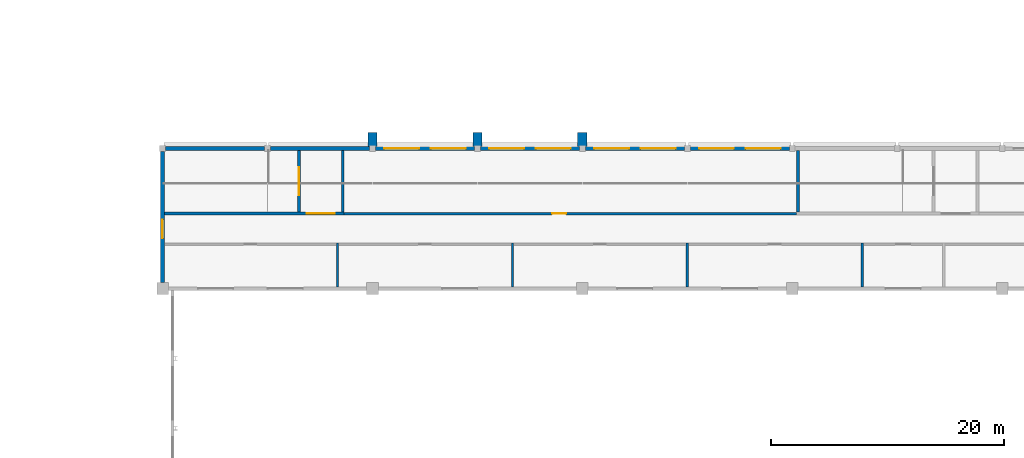
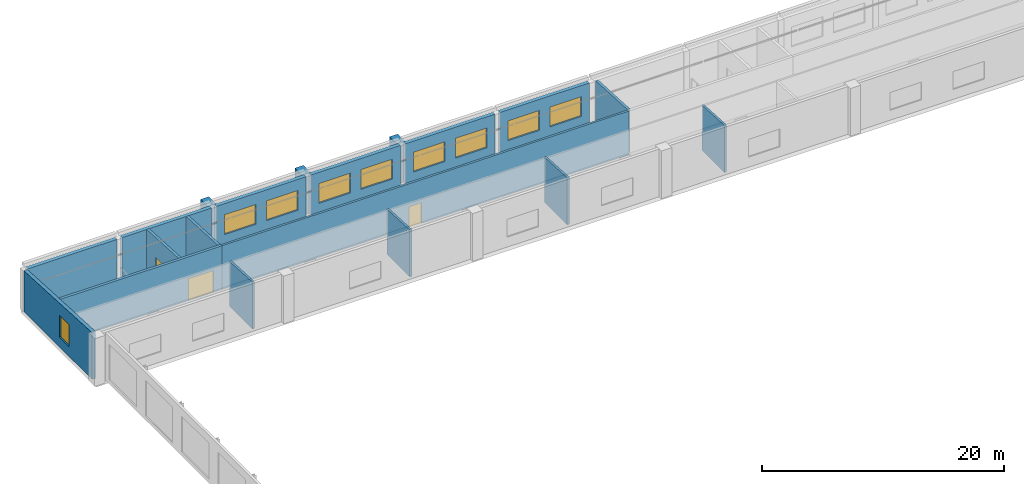
# One storey, part 139 of 182: 19 walls, 9 windows, 3 doors, 12 openings.
"""IFC4 building model written with IfcOpenShell, lengths in metres."""

from ifc_helpers import new_model, si_unit, direction, frame, frame_2d, origin, place, context, subcontext, project, spatial, polyline, rectangle, outline, extrude, material, layer, layer_set, type_object, element, fill, save


model = new_model("IFC4")

# Units and contexts
model_context = context("Model", 3, precision=1e-05, world=origin(), true_north=direction((0.0, 1.0)))
body_context = subcontext(model_context, "Body", "Model", "MODEL_VIEW")
ifc_project = project(units=[si_unit("LENGTHUNIT", "METRE"), si_unit("AREAUNIT", "SQUARE_METRE"), si_unit("VOLUMEUNIT", "CUBIC_METRE"), si_unit("PLANEANGLEUNIT", "RADIAN"), si_unit("MASSUNIT", "GRAM", prefix="KILO")], contexts=[model_context])

# Site, building, storey
site_placement = place(None, origin())
site = spatial("IfcSite", under=ifc_project, at=site_placement, CompositionType="ELEMENT")
building_placement = place(site_placement, origin())
building = spatial("IfcBuilding", under=site, at=building_placement, Name="Okhra Congress Centre", CompositionType="ELEMENT")
storey_placement = place(building_placement, frame((0.0, 0.0, 7.199951171875)))
storey = spatial("IfcBuildingStorey", under=building, at=storey_placement, Name="L01", CompositionType="ELEMENT", Elevation=7.199951171875)

# Walls
ifc_material_1 = material(Name="Double gypsum board on steel studs with mineral wool", Category="steel")
ifc_layer_1 = layer(ifc_material_1, 0.199951171875)
ifc_layer_set_1 = layer_set([ifc_layer_1], Name="Acoustic partition 200")
wall_type_1 = type_object("IfcWallType", Name="Acoustic partition 200", PredefinedType="PARTITIONING", material=ifc_layer_set_1)
for number, where, z_axis, x_axis, name in (
    (1, (43.0, 216.14990234375, 0.0), (0.0, 0.0, 1.0), (0.0, 1.0, 0.0), "EH.WALL.L01.67"),
    (2, (58.0, 216.14990234375, 0.0), (0.0, 0.0, 1.0), (0.0, 1.0, 0.0), "EH.WALL.L01.68"),
    (3, (73.0, 216.14990234375, 0.0), (0.0, 0.0, 1.0), (0.0, 1.0, 0.0), "EH.WALL.L01.69"),
    (4, (88.0, 216.14990234375, 0.0), (0.0, 0.0, 1.0), (0.0, 1.0, 0.0), "EH.WALL.L01.70"),
):
    element("IfcWall", number, at=place(storey_placement, frame(where, z_axis=z_axis, x_axis=x_axis)), inside=storey, type_object=wall_type_1, Name=name, PredefinedType="PARTITIONING", context=body_context, shape_type="SweptSolid", body=[
        extrude(outline(polyline([(0.0, 0.0), (3.75, 0.0), (3.75, 4.54052734375), (0.0, 4.737060546875), (0.0, 0.0)])), frame((0.0, 0.10009765625, 0.0), z_axis=(0.0, -1.0, 0.0), x_axis=(1.0, 0.0, 0.0)), (0.0, 0.0, 1.0), 0.199951171875),
    ])

# Wall, opening, door
wall_1_placement = place(storey_placement, frame((43.574951171875, 222.425048828125, 0.0), z_axis=(0.0, 0.0, 1.0), x_axis=(1.0, 0.0, 0.0)))
wall_1 = element("IfcWall", 5, at=wall_1_placement, inside=storey, type_object=wall_type_1, Name="EH.WALL.L01.76", PredefinedType="PARTITIONING", context=body_context, shape_type="SweptSolid", body=[
    extrude(rectangle(XDim=38.775146484375, YDim=0.199951171875, at=frame_2d((19.3876953125, 0.0))), origin(), (0.0, 0.0, 1.0), 4.407958984375),
])
opening_1_placement = place(wall_1_placement, frame((17.824951171875, 0.0, 0.0)))
opening_1 = element("IfcOpeningElement", 6, at=opening_1_placement, cuts=wall_1, Name="Opening L01-018", PredefinedType="OPENING", context=body_context, shape_type="SweptSolid", body=[
    extrude(rectangle(XDim=1.199951171875, YDim=2.10009765625, at=frame_2d((0.60009765625, 1.050048828125))), frame((0.0, 0.10986328125, 0.0), z_axis=(0.0, -1.0, 0.0), x_axis=(1.0, 0.0, 0.0)), (0.0, 0.0, 1.0), 0.219970703125),
])
ifc_material_2 = material(Name="Timber door leaf in steel frame", Category="steel")
door_type_1 = type_object("IfcDoorType", Name="Single swing door 1200x2100", OperationType="NOTDEFINED", PredefinedType="DOOR", material=ifc_material_2)
door_1_placement = place(opening_1_placement, origin())
door_1 = element("IfcDoor", 7, at=door_1_placement, inside=storey, type_object=door_type_1, Name="Door L01-018", OperationType="SINGLE_SWING_RIGHT", OverallHeight=2.10009765625, OverallWidth=1.199951171875, PredefinedType="DOOR", context=body_context, shape_type="SweptSolid", body=[
    extrude(rectangle(XDim=1.199951171875, YDim=2.10009765625, at=frame_2d((0.60009765625, 1.050048828125))), frame((0.0, 0.02490234375, 0.0), z_axis=(0.0, -1.0, 0.0), x_axis=(1.0, 0.0, 0.0)), (0.0, 0.0, 1.0), 0.050048828125),
])
fill(opening_1, door_1)

# Walls
ifc_material_3 = material(Name="Concrete C35/45", Category="concrete")
ifc_layer_2 = layer(ifc_material_3, 0.800048828125)
ifc_layer_set_2 = layer_set([ifc_layer_2], Name="Buttress fin 800 REI 120 C35/45")
wall_type_2 = type_object("IfcWallType", Name="Buttress fin 800 REI 120 C35/45", PredefinedType="SOLIDWALL", material=ifc_layer_set_2)
for number, where, z_axis, x_axis, name in (
    (8, (46.0, 228.169921875, 0.0), (0.0, 0.0, 1.0), (0.0, 1.0, 0.0), "EH.WALL.L01.57"),
    (9, (55.0, 228.169921875, 0.0), (0.0, 0.0, 1.0), (0.0, 1.0, 0.0), "EH.WALL.L01.58"),
    (10, (64.0, 228.169921875, 0.0), (0.0, 0.0, 1.0), (0.0, 1.0, 0.0), "EH.WALL.L01.59"),
):
    element("IfcWall", number, at=place(storey_placement, frame(where, z_axis=z_axis, x_axis=x_axis)), inside=storey, type_object=wall_type_2, Name=name, PredefinedType="SOLIDWALL", context=body_context, shape_type="SweptSolid", body=[
        extrude(rectangle(XDim=1.205078125, YDim=0.800048828125, at=frame_2d((0.6025390625, 0.0))), origin(), (0.0, 0.0, 1.0), 4.10009765625),
    ])

# Wall, openings, windows
ifc_material_4 = material(Name="Insulated metal sandwich panel (mineral wool core)")
ifc_layer_3 = layer(ifc_material_4, 0.35009765625)
ifc_layer_set_3 = layer_set([ifc_layer_3], Name="Insulated wall panel 350")
wall_type_3 = type_object("IfcWallType", Name="Insulated wall panel 350", PredefinedType="SOLIDWALL", material=ifc_layer_set_3)
wall_2_placement = place(storey_placement, frame((46.25, 228.0, 0.0), z_axis=(0.0, 0.0, 1.0), x_axis=(1.0, 0.0, 0.0)))
wall_2 = element("IfcWall", 11, at=wall_2_placement, inside=storey, type_object=wall_type_3, Name="EH.WALL.L01.35", PredefinedType="SOLIDWALL", context=body_context, shape_type="SweptSolid", body=[
    extrude(rectangle(XDim=8.5, YDim=0.35009765625, at=frame_2d((4.25, 0.0))), origin(), (0.0, 0.0, 1.0), 4.112060546875),
])
opening_2_placement = place(wall_2_placement, frame((0.75, 0.0, 1.0)))
opening_2 = element("IfcOpeningElement", 12, at=opening_2_placement, cuts=wall_2, Name="Opening WN9", PredefinedType="OPENING", context=body_context, shape_type="SweptSolid", body=[
    extrude(rectangle(XDim=3.0, YDim=2.0, at=frame_2d((1.5, 1.0))), frame((0.0, 0.18505859375, 0.0), z_axis=(0.0, -1.0, 0.0), x_axis=(1.0, 0.0, 0.0)), (0.0, 0.0, 1.0), 0.3701171875),
])
opening_3_placement = place(wall_2_placement, frame((4.75, 0.0, 1.0)))
opening_3 = element("IfcOpeningElement", 13, at=opening_3_placement, cuts=wall_2, Name="Opening WN9", PredefinedType="OPENING", context=body_context, shape_type="SweptSolid", body=[
    extrude(rectangle(XDim=3.0, YDim=2.0, at=frame_2d((1.5, 1.0))), frame((0.0, 0.18505859375, 0.0), z_axis=(0.0, -1.0, 0.0), x_axis=(1.0, 0.0, 0.0)), (0.0, 0.0, 1.0), 0.3701171875),
])
ifc_material_5 = material(Name="Thermally broken aluminium frame, triple glazing", Category="aluminium")
window_type_1 = type_object("IfcWindowType", Name="Fixed window 3000x2000", PartitioningType="SINGLE_PANEL", PredefinedType="WINDOW", material=ifc_material_5)
window_1_placement = place(opening_2_placement, origin())
window_1 = element("IfcWindow", 14, at=window_1_placement, inside=storey, type_object=window_type_1, Name="EH.WIN.L01.46", OverallHeight=2.0, OverallWidth=3.0, PartitioningType="SINGLE_PANEL", PredefinedType="WINDOW", context=body_context, shape_type="SweptSolid", body=[
    extrude(rectangle(XDim=3.0, YDim=2.0, at=frame_2d((1.5, 1.0))), frame((0.0, 0.030029296875, 0.0), z_axis=(0.0, -1.0, 0.0), x_axis=(1.0, 0.0, 0.0)), (0.0, 0.0, 1.0), 0.06005859375),
])
fill(opening_2, window_1)
window_2_placement = place(opening_3_placement, origin())
window_2 = element("IfcWindow", 15, at=window_2_placement, inside=storey, type_object=window_type_1, Name="EH.WIN.L01.47", OverallHeight=2.0, OverallWidth=3.0, PartitioningType="SINGLE_PANEL", PredefinedType="WINDOW", context=body_context, shape_type="SweptSolid", body=[
    extrude(rectangle(XDim=3.0, YDim=2.0, at=frame_2d((1.5, 1.0))), frame((0.0, 0.030029296875, 0.0), z_axis=(0.0, -1.0, 0.0), x_axis=(1.0, 0.0, 0.0)), (0.0, 0.0, 1.0), 0.06005859375),
])
fill(opening_3, window_2)

wall_3_placement = place(storey_placement, frame((55.25, 228.0, 0.0), z_axis=(0.0, 0.0, 1.0), x_axis=(1.0, 0.0, 0.0)))
wall_3 = element("IfcWall", 16, at=wall_3_placement, inside=storey, type_object=wall_type_3, Name="EH.WALL.L01.36", PredefinedType="SOLIDWALL", context=body_context, shape_type="SweptSolid", body=[
    extrude(rectangle(XDim=8.5, YDim=0.35009765625, at=frame_2d((4.25, 0.0))), origin(), (0.0, 0.0, 1.0), 4.112060546875),
])
opening_4_placement = place(wall_3_placement, frame((0.75, 0.0, 1.0)))
opening_4 = element("IfcOpeningElement", 17, at=opening_4_placement, cuts=wall_3, Name="Opening WN9", PredefinedType="OPENING", context=body_context, shape_type="SweptSolid", body=[
    extrude(rectangle(XDim=3.0, YDim=2.0, at=frame_2d((1.5, 1.0))), frame((0.0, 0.18505859375, 0.0), z_axis=(0.0, -1.0, 0.0), x_axis=(1.0, 0.0, 0.0)), (0.0, 0.0, 1.0), 0.3701171875),
])
opening_5_placement = place(wall_3_placement, frame((4.75, 0.0, 1.0)))
opening_5 = element("IfcOpeningElement", 18, at=opening_5_placement, cuts=wall_3, Name="Opening WN9", PredefinedType="OPENING", context=body_context, shape_type="SweptSolid", body=[
    extrude(rectangle(XDim=3.0, YDim=2.0, at=frame_2d((1.5, 1.0))), frame((0.0, 0.18505859375, 0.0), z_axis=(0.0, -1.0, 0.0), x_axis=(1.0, 0.0, 0.0)), (0.0, 0.0, 1.0), 0.3701171875),
])
window_3_placement = place(opening_4_placement, origin())
window_3 = element("IfcWindow", 19, at=window_3_placement, inside=storey, type_object=window_type_1, Name="EH.WIN.L01.48", OverallHeight=2.0, OverallWidth=3.0, PartitioningType="SINGLE_PANEL", PredefinedType="WINDOW", context=body_context, shape_type="SweptSolid", body=[
    extrude(rectangle(XDim=3.0, YDim=2.0, at=frame_2d((1.5, 1.0))), frame((0.0, 0.030029296875, 0.0), z_axis=(0.0, -1.0, 0.0), x_axis=(1.0, 0.0, 0.0)), (0.0, 0.0, 1.0), 0.06005859375),
])
fill(opening_4, window_3)
window_4_placement = place(opening_5_placement, origin())
window_4 = element("IfcWindow", 20, at=window_4_placement, inside=storey, type_object=window_type_1, Name="EH.WIN.L01.49", OverallHeight=2.0, OverallWidth=3.0, PartitioningType="SINGLE_PANEL", PredefinedType="WINDOW", context=body_context, shape_type="SweptSolid", body=[
    extrude(rectangle(XDim=3.0, YDim=2.0, at=frame_2d((1.5, 1.0))), frame((0.0, 0.030029296875, 0.0), z_axis=(0.0, -1.0, 0.0), x_axis=(1.0, 0.0, 0.0)), (0.0, 0.0, 1.0), 0.06005859375),
])
fill(opening_5, window_4)

wall_4_placement = place(storey_placement, frame((64.25, 228.0, 0.0), z_axis=(0.0, 0.0, 1.0), x_axis=(1.0, 0.0, 0.0)))
wall_4 = element("IfcWall", 21, at=wall_4_placement, inside=storey, type_object=wall_type_3, Name="EH.WALL.L01.37", PredefinedType="SOLIDWALL", context=body_context, shape_type="SweptSolid", body=[
    extrude(rectangle(XDim=8.5, YDim=0.35009765625, at=frame_2d((4.25, 0.0))), origin(), (0.0, 0.0, 1.0), 4.112060546875),
])
opening_6_placement = place(wall_4_placement, frame((0.75, 0.0, 1.0)))
opening_6 = element("IfcOpeningElement", 22, at=opening_6_placement, cuts=wall_4, Name="Opening WN9", PredefinedType="OPENING", context=body_context, shape_type="SweptSolid", body=[
    extrude(rectangle(XDim=3.0, YDim=2.0, at=frame_2d((1.5, 1.0))), frame((0.0, 0.18505859375, 0.0), z_axis=(0.0, -1.0, 0.0), x_axis=(1.0, 0.0, 0.0)), (0.0, 0.0, 1.0), 0.3701171875),
])
opening_7_placement = place(wall_4_placement, frame((4.75, 0.0, 1.0)))
opening_7 = element("IfcOpeningElement", 23, at=opening_7_placement, cuts=wall_4, Name="Opening WN9", PredefinedType="OPENING", context=body_context, shape_type="SweptSolid", body=[
    extrude(rectangle(XDim=3.0, YDim=2.0, at=frame_2d((1.5, 1.0))), frame((0.0, 0.18505859375, 0.0), z_axis=(0.0, -1.0, 0.0), x_axis=(1.0, 0.0, 0.0)), (0.0, 0.0, 1.0), 0.3701171875),
])
window_5_placement = place(opening_6_placement, origin())
window_5 = element("IfcWindow", 24, at=window_5_placement, inside=storey, type_object=window_type_1, Name="EH.WIN.L01.50", OverallHeight=2.0, OverallWidth=3.0, PartitioningType="SINGLE_PANEL", PredefinedType="WINDOW", context=body_context, shape_type="SweptSolid", body=[
    extrude(rectangle(XDim=3.0, YDim=2.0, at=frame_2d((1.5, 1.0))), frame((0.0, 0.030029296875, 0.0), z_axis=(0.0, -1.0, 0.0), x_axis=(1.0, 0.0, 0.0)), (0.0, 0.0, 1.0), 0.06005859375),
])
fill(opening_6, window_5)
window_6_placement = place(opening_7_placement, origin())
window_6 = element("IfcWindow", 25, at=window_6_placement, inside=storey, type_object=window_type_1, Name="EH.WIN.L01.51", OverallHeight=2.0, OverallWidth=3.0, PartitioningType="SINGLE_PANEL", PredefinedType="WINDOW", context=body_context, shape_type="SweptSolid", body=[
    extrude(rectangle(XDim=3.0, YDim=2.0, at=frame_2d((1.5, 1.0))), frame((0.0, 0.030029296875, 0.0), z_axis=(0.0, -1.0, 0.0), x_axis=(1.0, 0.0, 0.0)), (0.0, 0.0, 1.0), 0.06005859375),
])
fill(opening_7, window_6)

wall_5_placement = place(storey_placement, frame((73.25, 228.0, 0.0), z_axis=(0.0, 0.0, 1.0), x_axis=(1.0, 0.0, 0.0)))
wall_5 = element("IfcWall", 26, at=wall_5_placement, inside=storey, type_object=wall_type_3, Name="EH.WALL.L01.38", PredefinedType="SOLIDWALL", context=body_context, shape_type="SweptSolid", body=[
    extrude(rectangle(XDim=8.5, YDim=0.35009765625, at=frame_2d((4.25, 0.0))), origin(), (0.0, 0.0, 1.0), 4.112060546875),
])
opening_8_placement = place(wall_5_placement, frame((0.75, 0.0, 1.0)))
opening_8 = element("IfcOpeningElement", 27, at=opening_8_placement, cuts=wall_5, Name="Opening WN9", PredefinedType="OPENING", context=body_context, shape_type="SweptSolid", body=[
    extrude(rectangle(XDim=3.0, YDim=2.0, at=frame_2d((1.5, 1.0))), frame((0.0, 0.18505859375, 0.0), z_axis=(0.0, -1.0, 0.0), x_axis=(1.0, 0.0, 0.0)), (0.0, 0.0, 1.0), 0.3701171875),
])
opening_9_placement = place(wall_5_placement, frame((4.75, 0.0, 1.0)))
opening_9 = element("IfcOpeningElement", 28, at=opening_9_placement, cuts=wall_5, Name="Opening WN9", PredefinedType="OPENING", context=body_context, shape_type="SweptSolid", body=[
    extrude(rectangle(XDim=3.0, YDim=2.0, at=frame_2d((1.5, 1.0))), frame((0.0, 0.18505859375, 0.0), z_axis=(0.0, -1.0, 0.0), x_axis=(1.0, 0.0, 0.0)), (0.0, 0.0, 1.0), 0.3701171875),
])
window_7_placement = place(opening_8_placement, origin())
window_7 = element("IfcWindow", 29, at=window_7_placement, inside=storey, type_object=window_type_1, Name="EH.WIN.L01.52", OverallHeight=2.0, OverallWidth=3.0, PartitioningType="SINGLE_PANEL", PredefinedType="WINDOW", context=body_context, shape_type="SweptSolid", body=[
    extrude(rectangle(XDim=3.0, YDim=2.0, at=frame_2d((1.5, 1.0))), frame((0.0, 0.030029296875, 0.0), z_axis=(0.0, -1.0, 0.0), x_axis=(1.0, 0.0, 0.0)), (0.0, 0.0, 1.0), 0.06005859375),
])
fill(opening_8, window_7)
window_8_placement = place(opening_9_placement, origin())
window_8 = element("IfcWindow", 30, at=window_8_placement, inside=storey, type_object=window_type_1, Name="EH.WIN.L01.53", OverallHeight=2.0, OverallWidth=3.0, PartitioningType="SINGLE_PANEL", PredefinedType="WINDOW", context=body_context, shape_type="SweptSolid", body=[
    extrude(rectangle(XDim=3.0, YDim=2.0, at=frame_2d((1.5, 1.0))), frame((0.0, 0.030029296875, 0.0), z_axis=(0.0, -1.0, 0.0), x_axis=(1.0, 0.0, 0.0)), (0.0, 0.0, 1.0), 0.06005859375),
])
fill(opening_9, window_8)

# Wall, opening, door
ifc_material_6 = material(Name="Concrete C30/37", Category="concrete")
ifc_layer_4 = layer(ifc_material_6, 0.25)
ifc_layer_set_4 = layer_set([ifc_layer_4], Name="RC wall 250 REI 120 C30/37")
wall_type_4 = type_object("IfcWallType", Name="RC wall 250 REI 120 C30/37", PredefinedType="SOLIDWALL", material=ifc_layer_set_4)
wall_6_placement = place(storey_placement, frame((28.175048828125, 222.449951171875, 0.0), z_axis=(0.0, 0.0, 1.0), x_axis=(1.0, 0.0, 0.0)))
wall_6 = element("IfcWall", 31, at=wall_6_placement, inside=storey, type_object=wall_type_4, Name="EH.WALL.L01.47", PredefinedType="SOLIDWALL", context=body_context, shape_type="SweptSolid", body=[
    extrude(rectangle(XDim=15.39990234375, YDim=0.25, at=frame_2d((7.699951171875, 0.0))), origin(), (0.0, 0.0, 1.0), 4.405517578125),
])
opening_10_placement = place(wall_6_placement, frame((12.199951171875, 0.0, 0.0)))
opening_10 = element("IfcOpeningElement", 32, at=opening_10_placement, cuts=wall_6, Name="Opening L01-001", PredefinedType="OPENING", context=body_context, shape_type="SweptSolid", body=[
    extrude(rectangle(XDim=2.39990234375, YDim=2.199951171875, at=frame_2d((1.199951171875, 1.10009765625))), frame((0.0, 0.135009765625, 0.0), z_axis=(0.0, -1.0, 0.0), x_axis=(1.0, 0.0, 0.0)), (0.0, 0.0, 1.0), 0.27001953125),
])
ifc_material_7 = material(Name="Steel fire door leaves in steel frame, intumescent seals", Category="steel")
door_type_2 = type_object("IfcDoorType", Name="Steel fire door pair 2400x2200 EI 30", OperationType="NOTDEFINED", PredefinedType="DOOR", material=ifc_material_7)
door_2_placement = place(opening_10_placement, origin())
door_2 = element("IfcDoor", 33, at=door_2_placement, inside=storey, type_object=door_type_2, Name="Door L01-001", OperationType="DOUBLE_DOOR_SINGLE_SWING", OverallHeight=2.199951171875, OverallWidth=2.39990234375, PredefinedType="DOOR", context=body_context, shape_type="SweptSolid", body=[
    extrude(rectangle(XDim=2.39990234375, YDim=2.199951171875, at=frame_2d((1.199951171875, 1.10009765625))), frame((0.0, 0.02490234375, 0.0), z_axis=(0.0, -1.0, 0.0), x_axis=(1.0, 0.0, 0.0)), (0.0, 0.0, 1.0), 0.050048828125),
])
fill(opening_10, door_2)

wall_7_placement = place(storey_placement, frame((39.699951171875, 222.574951171875, 0.0), z_axis=(0.0, 0.0, 1.0), x_axis=(0.0, 1.0, 0.0)))
wall_7 = element("IfcWall", 34, at=wall_7_placement, inside=storey, type_object=wall_type_4, Name="EH.WALL.L01.48", PredefinedType="SOLIDWALL", context=body_context, shape_type="SweptSolid", body=[
    extrude(outline(polyline([(0.0, 0.0), (5.25, 0.0), (5.25, 4.123779296875), (0.0, 4.39892578125), (0.0, 0.0)])), frame((0.0, 0.125, 0.0), z_axis=(0.0, -1.0, 0.0), x_axis=(1.0, 0.0, 0.0)), (0.0, 0.0, 1.0), 0.25),
])
opening_11_placement = place(wall_7_placement, frame((1.425048828125, 0.0, 0.0)))
opening_11 = element("IfcOpeningElement", 35, at=opening_11_placement, cuts=wall_7, Name="Opening L01-002", PredefinedType="OPENING", context=body_context, shape_type="SweptSolid", body=[
    extrude(rectangle(XDim=2.39990234375, YDim=2.199951171875, at=frame_2d((1.199951171875, 1.10009765625))), frame((0.0, 0.135009765625, 0.0), z_axis=(0.0, -1.0, 0.0), x_axis=(1.0, 0.0, 0.0)), (0.0, 0.0, 1.0), 0.27001953125),
])
door_3_placement = place(opening_11_placement, frame((2.39990234375, 0.0, 0.0), z_axis=(0.0, 0.0, 1.0), x_axis=(-1.0, 0.0, 0.0)))
door_3 = element("IfcDoor", 36, at=door_3_placement, inside=storey, type_object=door_type_2, Name="Door L01-002", OperationType="DOUBLE_DOOR_SINGLE_SWING", OverallHeight=2.199951171875, OverallWidth=2.39990234375, PredefinedType="DOOR", context=body_context, shape_type="SweptSolid", body=[
    extrude(rectangle(XDim=2.39990234375, YDim=2.199951171875, at=frame_2d((1.199951171875, 1.10009765625))), frame((0.0, 0.02490234375, 0.0), z_axis=(0.0, -1.0, 0.0), x_axis=(1.0, 0.0, 0.0)), (0.0, 0.0, 1.0), 0.050048828125),
])
fill(opening_11, door_3)

# Walls
for number, where, z_axis, x_axis, name in (
    (37, (43.449951171875, 222.574951171875, 0.0), (0.0, 0.0, 1.0), (0.0, 1.0, 0.0), "EH.WALL.L01.49"),
    (38, (82.47509765625, 222.574951171875, 0.0), (0.0, 0.0, 1.0), (0.0, 1.0, 0.0), "EH.WALL.L01.52"),
):
    element("IfcWall", number, at=place(storey_placement, frame(where, z_axis=z_axis, x_axis=x_axis)), inside=storey, type_object=wall_type_4, Name=name, PredefinedType="SOLIDWALL", context=body_context, shape_type="SweptSolid", body=[
        extrude(outline(polyline([(0.0, 0.0), (5.25, 0.0), (5.25, 4.123779296875), (0.0, 4.39892578125), (0.0, 0.0)])), frame((0.0, 0.125, 0.0), z_axis=(0.0, -1.0, 0.0), x_axis=(1.0, 0.0, 0.0)), (0.0, 0.0, 1.0), 0.25),
    ])

# Wall, opening, window
ifc_layer_5 = layer(ifc_material_6, 0.35009765625)
ifc_layer_set_5 = layer_set([ifc_layer_5], Name="RC wall 350 REI 120 C30/37")
wall_type_5 = type_object("IfcWallType", Name="RC wall 350 REI 120 C30/37", PredefinedType="SOLIDWALL", material=ifc_layer_set_5)
wall_8_placement = place(storey_placement, frame((28.0, 216.5, 0.0), z_axis=(0.0, 0.0, 1.0), x_axis=(0.0, 1.0, 0.0)))
wall_8 = element("IfcWall", 39, at=wall_8_placement, inside=storey, type_object=wall_type_5, Name="EH.WALL.L01.31", PredefinedType="SOLIDWALL", context=body_context, shape_type="SweptSolid", body=[
    extrude(outline(polyline([(0.0, 0.0), (11.25, 0.0), (11.25, 4.125), (0.0, 4.714599609375), (0.0, 0.0)])), frame((0.0, 0.175048828125, 0.0), z_axis=(0.0, -1.0, 0.0), x_axis=(1.0, 0.0, 0.0)), (0.0, 0.0, 1.0), 0.35009765625),
])
opening_12_placement = place(wall_8_placement, frame((3.800048828125, 0.0, 1.0)))
opening_12 = element("IfcOpeningElement", 40, at=opening_12_placement, cuts=wall_8, Name="Opening WN7", PredefinedType="OPENING", context=body_context, shape_type="SweptSolid", body=[
    extrude(rectangle(XDim=1.60009765625, YDim=2.199951171875, at=frame_2d((0.800048828125, 1.10009765625))), frame((0.0, 0.18505859375, 0.0), z_axis=(0.0, -1.0, 0.0), x_axis=(1.0, 0.0, 0.0)), (0.0, 0.0, 1.0), 0.3701171875),
])
window_type_2 = type_object("IfcWindowType", Name="Fixed window 1600x2200", PartitioningType="SINGLE_PANEL", PredefinedType="WINDOW", material=ifc_material_5)
window_9_placement = place(opening_12_placement, origin())
window_9 = element("IfcWindow", 41, at=window_9_placement, inside=storey, type_object=window_type_2, Name="EH.WIN.L01.44", OverallHeight=2.199951171875, OverallWidth=1.60009765625, PartitioningType="SINGLE_PANEL", PredefinedType="WINDOW", context=body_context, shape_type="SweptSolid", body=[
    extrude(rectangle(XDim=1.60009765625, YDim=2.199951171875, at=frame_2d((0.800048828125, 1.10009765625))), frame((0.0, 0.030029296875, 0.0), z_axis=(0.0, -1.0, 0.0), x_axis=(1.0, 0.0, 0.0)), (0.0, 0.0, 1.0), 0.06005859375),
])
fill(opening_12, window_9)

# Walls
for number, where, z_axis, x_axis, name in (
    (42, (28.25, 228.0, 0.0), (0.0, 0.0, 1.0), (1.0, 0.0, 0.0), "EH.WALL.L01.33"),
    (43, (37.25, 228.0, 0.0), (0.0, 0.0, 1.0), (1.0, 0.0, 0.0), "EH.WALL.L01.34"),
):
    element("IfcWall", number, at=place(storey_placement, frame(where, z_axis=z_axis, x_axis=x_axis)), inside=storey, type_object=wall_type_5, Name=name, PredefinedType="SOLIDWALL", context=body_context, shape_type="SweptSolid", body=[
        extrude(rectangle(XDim=8.5, YDim=0.35009765625, at=frame_2d((4.25, 0.0))), origin(), (0.0, 0.0, 1.0), 4.112060546875),
    ])

save(model, "model.ifc")
